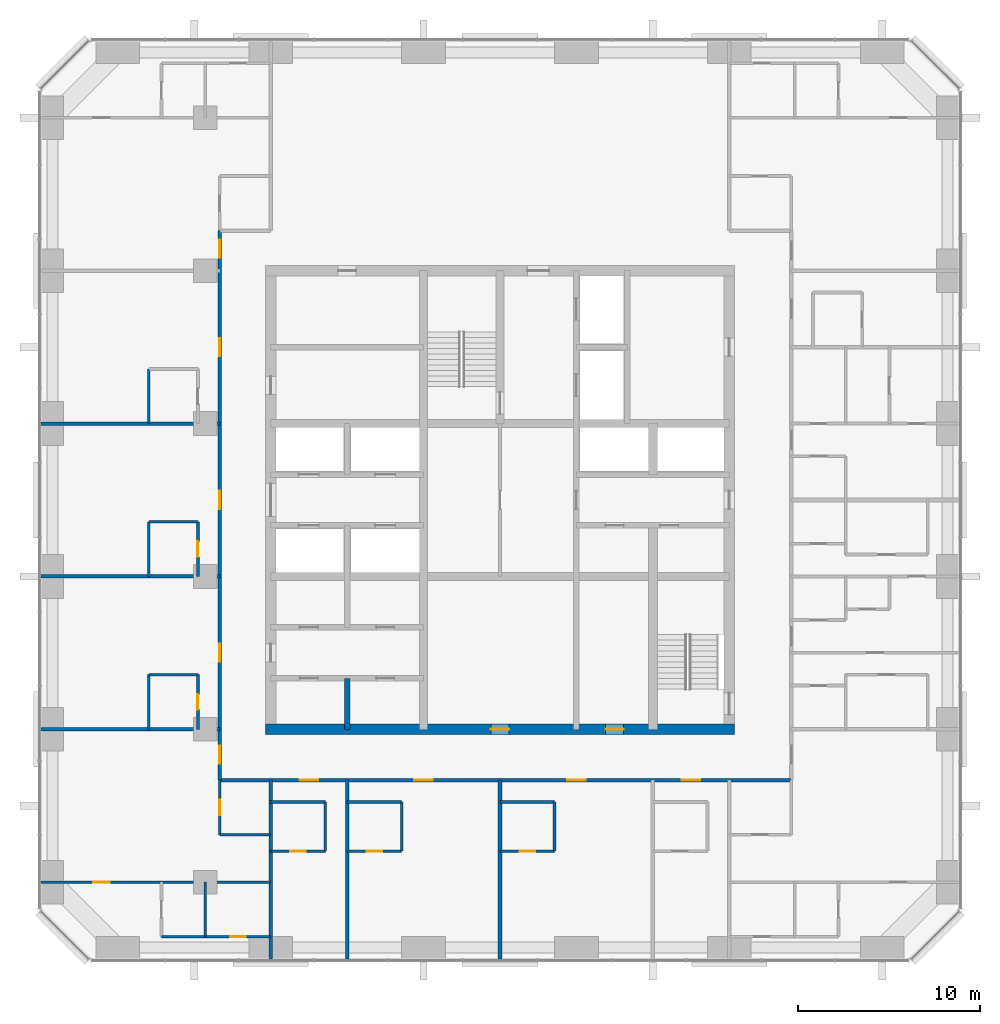
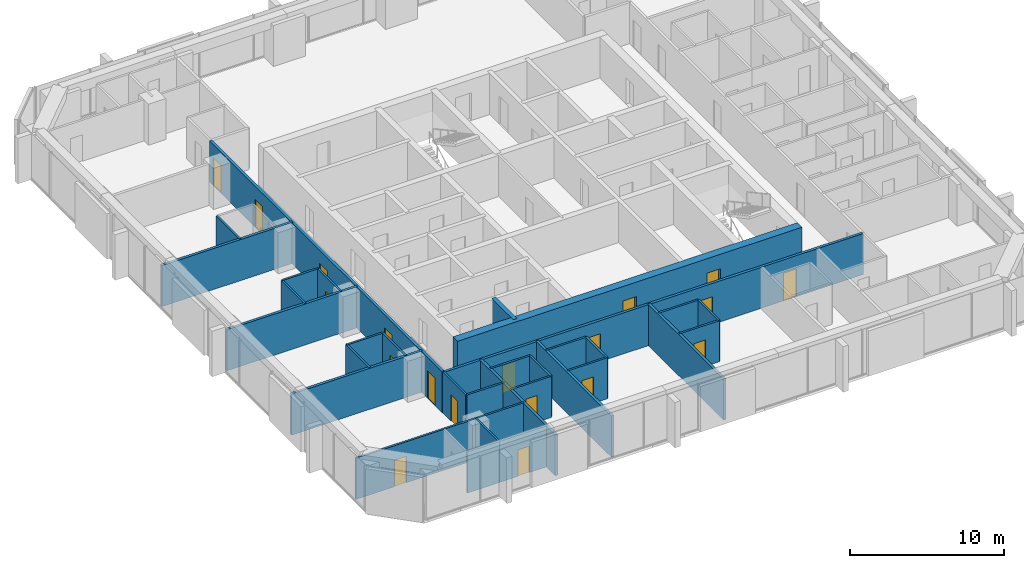
# One storey, part 8 of 13: 32 walls, 19 doors, 19 openings.
"""IFC4 building model written with IfcOpenShell, lengths in metres."""

import ifcopenshell
import ifcopenshell.guid

model = None  # the IFC model being written
_history = None  # IfcOwnerHistory: only IFC2X3 demands one
_inside = {}  # id of a spatial element -> (the spatial element, [elements in it])
_under = {}  # id of a project, library or spatial element -> (it, [spatial elements below it])
_declared = {}  # id of a project -> (the project, [libraries it declares])
_typed = {}  # id of a type object -> (the type object, [elements of that type])
_made_of = {}  # id of a material, layer set ... -> (it, [elements and type objects made of it])


def new_model(schema):
    """Start an empty IFC model of exactly this schema.

    Asked for "IFC4X3", IfcOpenShell would pick the latest addendum, in which some entities
    have other attributes; the version numbers below select the first issue.
    IFC2X3 requires an IfcOwnerHistory on every rooted entity: one is made here for all.
    """
    global model, _history
    if schema == "IFC4X3":
        model = ifcopenshell.file(schema_version=(4, 3, 0, 0))
    else:
        model = ifcopenshell.file(schema=schema)
    _inside.clear()
    _under.clear()
    _declared.clear()
    _typed.clear()
    _made_of.clear()
    _history = None
    if model.schema == "IFC2X3":
        org = make("IfcOrganization", Name="unknown")
        user = make(
            "IfcPersonAndOrganization",
            ThePerson=make("IfcPerson", FamilyName="unknown"),
            TheOrganization=org,
        )
        app = make(
            "IfcApplication",
            ApplicationDeveloper=org,
            Version="unknown",
            ApplicationFullName="unknown",
            ApplicationIdentifier="unknown",
        )
        _history = make(
            "IfcOwnerHistory",
            OwningUser=user,
            OwningApplication=app,
            ChangeAction="ADDED",
            CreationDate=0,
        )
    return model


def make(cls, **values):
    """One entity of the class cls with the attributes given. An attribute that is None is left unset."""
    return model.create_entity(
        cls, **{name: value for name, value in values.items() if value is not None}
    )


def rooted(cls, **values):
    """An entity with a GlobalId (a new one), such as an element, a storey or a relation."""
    return make(cls, GlobalId=ifcopenshell.guid.new(), OwnerHistory=_history, **values)


def si_unit(unit_type, name, prefix=None):
    """IfcSIUnit, for example si_unit("LENGTHUNIT", "METRE", prefix="MILLI")."""
    return make("IfcSIUnit", UnitType=unit_type, Prefix=prefix, Name=name)


def assignment(units):
    """IfcUnitAssignment: the units of a project."""
    return None if units is None else make("IfcUnitAssignment", Units=units)


def point(xyz):
    """IfcCartesianPoint."""
    return None if xyz is None else make("IfcCartesianPoint", Coordinates=xyz)


def direction(xyz):
    """IfcDirection."""
    return None if xyz is None else make("IfcDirection", DirectionRatios=xyz)


def frame(location, z_axis=None, x_axis=None):
    """IfcAxis2Placement3D, a coordinate frame: its origin and axes. An axis left out is left unset."""
    return make(
        "IfcAxis2Placement3D",
        Location=point(location),
        Axis=direction(z_axis),
        RefDirection=direction(x_axis),
    )


def frame_2d(location, x_axis=None):
    """IfcAxis2Placement2D, a coordinate frame in the plane: its origin and x axis."""
    return make(
        "IfcAxis2Placement2D", Location=point(location), RefDirection=direction(x_axis)
    )


def origin():
    """The frame at (0, 0, 0) with its axes left unset."""
    return frame((0.0, 0.0, 0.0))


def place(relative_to, where):
    """IfcLocalPlacement: puts the frame where relative to a parent placement (None: the world)."""
    return make(
        "IfcLocalPlacement", PlacementRelTo=relative_to, RelativePlacement=where
    )


def context(
    kind, dimensions, precision=None, world=None, true_north=None, identifier=None
):
    """IfcGeometricRepresentationContext, for example the 3D "Model" context."""
    return make(
        "IfcGeometricRepresentationContext",
        ContextIdentifier=identifier,
        ContextType=kind,
        CoordinateSpaceDimension=dimensions,
        Precision=precision,
        WorldCoordinateSystem=world,
        TrueNorth=true_north,
    )


def subcontext(parent, identifier, kind, view, scale=None):
    """IfcGeometricRepresentationSubContext, for example "Body" below "Model"."""
    return make(
        "IfcGeometricRepresentationSubContext",
        ContextIdentifier=identifier,
        ContextType=kind,
        ParentContext=parent,
        TargetScale=scale,
        TargetView=view,
    )


def project(units=None, contexts=None):
    """IfcProject with its units and contexts."""
    return rooted(
        "IfcProject",
        Name="project",
        RepresentationContexts=contexts,
        UnitsInContext=assignment(units),
    )


def spatial(cls, under=None, at=None, **own):
    """A site, building, storey or space (cls), placed at a placement, below another one or the project."""
    s = rooted(cls, ObjectPlacement=at, **own)
    if under is not None:
        _under.setdefault(under.id(), (under, []))[1].append(s)
    return s


def profile(cls, at=None, kind="AREA", **sizes):
    """A parametric profile (cls). Its sizes go by their IFC names, for example OverallWidth=200.0."""
    return make(cls, ProfileType=kind, Position=at, **sizes)


def rectangle(**sizes):
    """IfcRectangleProfileDef."""
    return profile("IfcRectangleProfileDef", **sizes)


def extrude(swept, where, along, depth):
    """IfcExtrudedAreaSolid: the profile swept, set in the frame where, extruded along a direction by depth."""
    return make(
        "IfcExtrudedAreaSolid",
        SweptArea=swept,
        Position=where,
        ExtrudedDirection=direction(along),
        Depth=depth,
    )


def shape(context_of_items, identifier, shape_type, items):
    """IfcShapeRepresentation: the items that make up one representation, for example the "Body"."""
    return make(
        "IfcShapeRepresentation",
        ContextOfItems=context_of_items,
        RepresentationIdentifier=identifier,
        RepresentationType=shape_type,
        Items=items,
    )


def material(Name=None, Category=None):
    """IfcMaterial."""
    return make("IfcMaterial", Name=Name, Category=Category)


def layer(
    of_material, thickness, ventilated=None, Name=None, Category=None, Priority=None
):
    """IfcMaterialLayer: one layer of a wall or slab, of a material (None: an air gap)."""
    return make(
        "IfcMaterialLayer",
        Material=of_material,
        LayerThickness=thickness,
        IsVentilated=ventilated,
        Name=Name,
        Category=Category,
        Priority=Priority,
    )


def layer_set(layers, Name=None):
    """IfcMaterialLayerSet."""
    return make("IfcMaterialLayerSet", MaterialLayers=layers, LayerSetName=Name)


def made_of(thing, what):
    """Note that an element or type object is made of a material, layer set ...; save() writes the relation."""
    if what is not None:
        _made_of.setdefault(what.id(), (what, []))[1].append(thing)
    return thing


def type_object(cls, material=None, **own):
    """A type object (cls), such as IfcWallType, which elements share."""
    return made_of(rooted(cls, **own), material)


def element(
    cls,
    number,
    at=None,
    inside=None,
    cuts=None,
    type_object=None,
    material=None,
    context=None,
    identifier="Body",
    shape_type=None,
    held_by="IfcProductDefinitionShape",
    body=None,
    shapes=None,
    **own,
):
    """One element of the class cls, such as IfcWall. Its Tag is "e" and its number.

    at: its placement. inside: the storey or other place that contains it. cuts: it is an
    opening in that element (IfcRelVoidsElement). A single representation is given by context,
    identifier, shape_type and body (its items); several are given by shapes. held_by: the class
    of the entity that holds the representations. save() writes the other relations.
    """
    e = rooted(cls, Tag="e%d" % number, ObjectPlacement=at, **own)
    if body is not None:
        shapes = [shape(context, identifier, shape_type, body)]
    if shapes is not None:
        e.Representation = make(held_by, Representations=shapes)
    if inside is not None:
        _inside.setdefault(inside.id(), (inside, []))[1].append(e)
    if cuts is not None:
        rooted(
            "IfcRelVoidsElement", RelatingBuildingElement=cuts, RelatedOpeningElement=e
        )
    if type_object is not None:
        _typed.setdefault(type_object.id(), (type_object, []))[1].append(e)
    return made_of(e, material)


def fill(opening, filler):
    """IfcRelFillsElement: the door or window that sits in an opening."""
    return rooted(
        "IfcRelFillsElement",
        RelatingOpeningElement=opening,
        RelatedBuildingElement=filler,
    )


def aggregate(whole, parts):
    """IfcRelAggregates: a whole, such as a stair, and the parts it consists of."""
    return rooted("IfcRelAggregates", RelatingObject=whole, RelatedObjects=parts)


def save(model, path):
    """Write the relations noted so far, then the file.

    IfcRelAggregates (storeys below a building ...), IfcRelContainedInSpatialStructure (elements
    in a storey), IfcRelDefinesByType, IfcRelAssociatesMaterial and IfcRelDeclares: one each for
    every whole, place, type object, material and project.
    """
    for whole, parts in _under.values():
        aggregate(whole, parts)
    for where, things in _inside.values():
        rooted(
            "IfcRelContainedInSpatialStructure",
            RelatedElements=things,
            RelatingStructure=where,
        )
    for kind, things in _typed.values():
        rooted("IfcRelDefinesByType", RelatedObjects=things, RelatingType=kind)
    for what, things in _made_of.values():
        rooted("IfcRelAssociatesMaterial", RelatedObjects=things, RelatingMaterial=what)
    for by, libraries in _declared.values():
        rooted("IfcRelDeclares", RelatingContext=by, RelatedDefinitions=libraries)
    model.write(path)


model = new_model("IFC4")

# Units and contexts
model_context = context("Model", 3, precision=1e-05, world=origin(), true_north=direction((0.0, 1.0)))
body_context = subcontext(model_context, "Body", "Model", "MODEL_VIEW")
ifc_project = project(units=[si_unit("LENGTHUNIT", "METRE"), si_unit("AREAUNIT", "SQUARE_METRE"), si_unit("VOLUMEUNIT", "CUBIC_METRE"), si_unit("PLANEANGLEUNIT", "RADIAN"), si_unit("MASSUNIT", "GRAM", prefix="KILO")], contexts=[model_context])

# Site, building, storey
site_placement = place(None, origin())
site = spatial("IfcSite", under=ifc_project, at=site_placement, CompositionType="ELEMENT")
building_placement = place(site_placement, origin())
building = spatial("IfcBuilding", under=site, at=building_placement, Name="Dunama Terrace Hotel", CompositionType="ELEMENT")
storey_placement = place(building_placement, frame((0.0, 0.0, 187.800048828125)))
storey = spatial("IfcBuildingStorey", under=building, at=storey_placement, Name="L48", CompositionType="ELEMENT", Elevation=187.800048828125)

# Walls
ifc_material_1 = material(Name="Gypsum board partition", Category="masonry")
ifc_layer_1 = layer(ifc_material_1, 0.14990234375)
ifc_layer_set_1 = layer_set([ifc_layer_1], Name="Bathroom partition 150")
wall_type_1 = type_object("IfcWallType", Name="Bathroom partition 150", PredefinedType="PARTITIONING", material=ifc_layer_set_1)
for number, where, z_axis, x_axis, name in (
    (1, (10.10009765625, 16.800048828125, 0.0), (0.0, 0.0, 1.0), (0.0, 1.0, 0.0), "Bathroom partition 150 L48"),
    (2, (10.10009765625, 25.199951171875, 0.0), (0.0, 0.0, 1.0), (0.0, 1.0, 0.0), "Bathroom partition 150 L48"),
    (3, (10.10009765625, 33.60009765625, 0.0), (0.0, 0.0, 1.0), (0.0, 1.0, 0.0), "Bathroom partition 150 L48"),
):
    element("IfcWall", number, at=place(storey_placement, frame(where, z_axis=z_axis, x_axis=x_axis)), inside=storey, type_object=wall_type_1, Name=name, PredefinedType="PARTITIONING", context=body_context, shape_type="SweptSolid", body=[
        extrude(rectangle(XDim=3.0, YDim=0.14990234375, at=frame_2d((1.5, 0.0))), origin(), (0.0, 0.0, 1.0), 3.25),
    ])

# Wall, opening, door
wall_1_placement = place(storey_placement, frame((12.800048828125, 16.800048828125, 0.0), z_axis=(0.0, 0.0, 1.0), x_axis=(0.0, 1.0, 0.0)))
wall_1 = element("IfcWall", 4, at=wall_1_placement, inside=storey, type_object=wall_type_1, Name="Bathroom partition 150 L48", PredefinedType="PARTITIONING", context=body_context, shape_type="SweptSolid", body=[
    extrude(rectangle(XDim=3.0, YDim=0.14990234375, at=frame_2d((1.5, 0.0))), origin(), (0.0, 0.0, 1.0), 3.25),
])
opening_1_placement = place(wall_1_placement, frame((1.074951171875, 0.0, 0.0)))
opening_1 = element("IfcOpeningElement", 5, at=opening_1_placement, cuts=wall_1, Name="Opening L48-50-034", PredefinedType="OPENING", context=body_context, shape_type="SweptSolid", body=[
    extrude(rectangle(XDim=0.85009765625, YDim=2.10009765625, at=frame_2d((0.425048828125, 1.050048828125))), frame((0.0, 0.0849609375, 0.0), z_axis=(0.0, -1.0, 0.0), x_axis=(1.0, 0.0, 0.0)), (0.0, 0.0, 1.0), 0.169921875),
])
ifc_material_2 = material(Name="Timber door with steel frame", Category="steel")
door_type_1 = type_object("IfcDoorType", Name="Bathroom door 850", OperationType="SINGLE_SWING_LEFT", PredefinedType="DOOR", material=ifc_material_2)
door_1_placement = place(opening_1_placement, origin())
door_1 = element("IfcDoor", 6, at=door_1_placement, inside=storey, type_object=door_type_1, Name="Door to en-suite bathroom L48-50-034, type D2", OperationType="SINGLE_SWING_LEFT", OverallHeight=2.10009765625, OverallWidth=0.85009765625, PredefinedType="DOOR", context=body_context, shape_type="SweptSolid", body=[
    extrude(rectangle(XDim=0.85009765625, YDim=2.10009765625, at=frame_2d((0.425048828125, 1.050048828125))), frame((0.0, 0.02490234375, 0.0), z_axis=(0.0, -1.0, 0.0), x_axis=(1.0, 0.0, 0.0)), (0.0, 0.0, 1.0), 0.050048828125),
])
fill(opening_1, door_1)

wall_2_placement = place(storey_placement, frame((12.800048828125, 25.199951171875, 0.0), z_axis=(0.0, 0.0, 1.0), x_axis=(0.0, 1.0, 0.0)))
wall_2 = element("IfcWall", 7, at=wall_2_placement, inside=storey, type_object=wall_type_1, Name="Bathroom partition 150 L48", PredefinedType="PARTITIONING", context=body_context, shape_type="SweptSolid", body=[
    extrude(rectangle(XDim=3.0, YDim=0.14990234375, at=frame_2d((1.5, 0.0))), origin(), (0.0, 0.0, 1.0), 3.25),
])
opening_2_placement = place(wall_2_placement, frame((1.074951171875, 0.0, 0.0)))
opening_2 = element("IfcOpeningElement", 8, at=opening_2_placement, cuts=wall_2, Name="Opening L48-50-036", PredefinedType="OPENING", context=body_context, shape_type="SweptSolid", body=[
    extrude(rectangle(XDim=0.85009765625, YDim=2.10009765625, at=frame_2d((0.425048828125, 1.050048828125))), frame((0.0, 0.0849609375, 0.0), z_axis=(0.0, -1.0, 0.0), x_axis=(1.0, 0.0, 0.0)), (0.0, 0.0, 1.0), 0.169921875),
])
door_2_placement = place(opening_2_placement, origin())
door_2 = element("IfcDoor", 9, at=door_2_placement, inside=storey, type_object=door_type_1, Name="Door to en-suite bathroom L48-50-036, type D2", OperationType="SINGLE_SWING_LEFT", OverallHeight=2.10009765625, OverallWidth=0.85009765625, PredefinedType="DOOR", context=body_context, shape_type="SweptSolid", body=[
    extrude(rectangle(XDim=0.85009765625, YDim=2.10009765625, at=frame_2d((0.425048828125, 1.050048828125))), frame((0.0, 0.02490234375, 0.0), z_axis=(0.0, -1.0, 0.0), x_axis=(1.0, 0.0, 0.0)), (0.0, 0.0, 1.0), 0.050048828125),
])
fill(opening_2, door_2)

wall_3_placement = place(storey_placement, frame((14.0, 11.0, 0.0), z_axis=(0.0, 0.0, 1.0), x_axis=(0.0, 1.0, 0.0)))
wall_3 = element("IfcWall", 10, at=wall_3_placement, inside=storey, type_object=wall_type_1, Name="Bathroom partition 150 L48", PredefinedType="PARTITIONING", context=body_context, shape_type="SweptSolid", body=[
    extrude(rectangle(XDim=3.0, YDim=0.14990234375, at=frame_2d((1.5, 0.0))), origin(), (0.0, 0.0, 1.0), 3.25),
])
opening_3_placement = place(wall_3_placement, frame((1.074951171875, 0.0, 0.0)))
opening_3 = element("IfcOpeningElement", 11, at=opening_3_placement, cuts=wall_3, Name="Opening L48-50-040", PredefinedType="OPENING", context=body_context, shape_type="SweptSolid", body=[
    extrude(rectangle(XDim=0.85009765625, YDim=2.10009765625, at=frame_2d((0.425048828125, 1.050048828125))), frame((0.0, 0.0849609375, 0.0), z_axis=(0.0, -1.0, 0.0), x_axis=(1.0, 0.0, 0.0)), (0.0, 0.0, 1.0), 0.169921875),
])
door_3_placement = place(opening_3_placement, frame((0.85009765625, 0.0, 0.0), z_axis=(0.0, 0.0, 1.0), x_axis=(-1.0, 0.0, 0.0)))
door_3 = element("IfcDoor", 12, at=door_3_placement, inside=storey, type_object=door_type_1, Name="Door to powder room L48-50-040, type D2", OperationType="SINGLE_SWING_LEFT", OverallHeight=2.10009765625, OverallWidth=0.85009765625, PredefinedType="DOOR", context=body_context, shape_type="SweptSolid", body=[
    extrude(rectangle(XDim=0.85009765625, YDim=2.10009765625, at=frame_2d((0.425048828125, 1.050048828125))), frame((0.0, 0.025146484375, 0.0), z_axis=(0.0, -1.0, 0.0), x_axis=(1.0, 0.0, 0.0)), (0.0, 0.0, 1.0), 0.050048828125),
])
fill(opening_3, door_3)

# Walls
for number, where, z_axis, x_axis, name in (
    (13, (19.800048828125, 10.10009765625, 0.0), (0.0, 0.0, 1.0), (0.0, 1.0, 0.0), "Bathroom partition 150 L48"),
    (14, (24.0, 10.10009765625, 0.0), (0.0, 0.0, 1.0), (0.0, 1.0, 0.0), "Bathroom partition 150 L48"),
    (15, (32.39990234375, 10.10009765625, 0.0), (0.0, 0.0, 1.0), (0.0, 1.0, 0.0), "Bathroom partition 150 L48"),
):
    element("IfcWall", number, at=place(storey_placement, frame(where, z_axis=z_axis, x_axis=x_axis)), inside=storey, type_object=wall_type_1, Name=name, PredefinedType="PARTITIONING", context=body_context, shape_type="SweptSolid", body=[
        extrude(rectangle(XDim=2.699951171875, YDim=0.14990234375, at=frame_2d((1.35009765625, 0.0))), origin(), (0.0, 0.0, 1.0), 3.25),
    ])

# Wall, opening, door
wall_4_placement = place(storey_placement, frame((13.199951171875, 5.39990234375, 0.0), z_axis=(0.0, 0.0, 1.0), x_axis=(1.0, 0.0, 0.0)))
wall_4 = element("IfcWall", 16, at=wall_4_placement, inside=storey, type_object=wall_type_1, Name="Bathroom partition 150 L48", PredefinedType="PARTITIONING", context=body_context, shape_type="SweptSolid", body=[
    extrude(rectangle(XDim=3.60009765625, YDim=0.14990234375, at=frame_2d((1.800048828125, 0.0))), origin(), (0.0, 0.0, 1.0), 3.25),
])
opening_4_placement = place(wall_4_placement, frame((1.375, 0.0, 0.0)))
opening_4 = element("IfcOpeningElement", 17, at=opening_4_placement, cuts=wall_4, Name="Opening L48-50-042", PredefinedType="OPENING", context=body_context, shape_type="SweptSolid", body=[
    extrude(rectangle(XDim=0.85009765625, YDim=2.10009765625, at=frame_2d((0.425048828125, 1.050048828125))), frame((0.0, 0.0849609375, 0.0), z_axis=(0.0, -1.0, 0.0), x_axis=(1.0, 0.0, 0.0)), (0.0, 0.0, 1.0), 0.169921875),
])
door_4_placement = place(opening_4_placement, origin())
door_4 = element("IfcDoor", 18, at=door_4_placement, inside=storey, type_object=door_type_1, Name="Door to en-suite bathroom L48-50-042, type D2", OperationType="SINGLE_SWING_RIGHT", OverallHeight=2.10009765625, OverallWidth=0.85009765625, PredefinedType="DOOR", context=body_context, shape_type="SweptSolid", body=[
    extrude(rectangle(XDim=0.85009765625, YDim=2.10009765625, at=frame_2d((0.425048828125, 1.050048828125))), frame((0.0, 0.02490234375, 0.0), z_axis=(0.0, -1.0, 0.0), x_axis=(1.0, 0.0, 0.0)), (0.0, 0.0, 1.0), 0.050048828125),
])
fill(opening_4, door_4)

wall_5_placement = place(storey_placement, frame((16.800048828125, 10.10009765625, 0.0), z_axis=(0.0, 0.0, 1.0), x_axis=(1.0, 0.0, 0.0)))
wall_5 = element("IfcWall", 19, at=wall_5_placement, inside=storey, type_object=wall_type_1, Name="Bathroom partition 150 L48", PredefinedType="PARTITIONING", context=body_context, shape_type="SweptSolid", body=[
    extrude(rectangle(XDim=3.0, YDim=0.14990234375, at=frame_2d((1.5, 0.0))), origin(), (0.0, 0.0, 1.0), 3.25),
])
opening_5_placement = place(wall_5_placement, frame((1.074951171875, 0.0, 0.0)))
opening_5 = element("IfcOpeningElement", 20, at=opening_5_placement, cuts=wall_5, Name="Opening L48-50-010", PredefinedType="OPENING", context=body_context, shape_type="SweptSolid", body=[
    extrude(rectangle(XDim=0.85009765625, YDim=2.10009765625, at=frame_2d((0.425048828125, 1.050048828125))), frame((0.0, 0.0849609375, 0.0), z_axis=(0.0, -1.0, 0.0), x_axis=(1.0, 0.0, 0.0)), (0.0, 0.0, 1.0), 0.169921875),
])
door_5_placement = place(opening_5_placement, origin())
door_5 = element("IfcDoor", 21, at=door_5_placement, inside=storey, type_object=door_type_1, Name="Door to en-suite bathroom L48-50-010, type D2", OperationType="SINGLE_SWING_LEFT", OverallHeight=2.10009765625, OverallWidth=0.85009765625, PredefinedType="DOOR", context=body_context, shape_type="SweptSolid", body=[
    extrude(rectangle(XDim=0.85009765625, YDim=2.10009765625, at=frame_2d((0.425048828125, 1.050048828125))), frame((0.0, 0.02490234375, 0.0), z_axis=(0.0, -1.0, 0.0), x_axis=(1.0, 0.0, 0.0)), (0.0, 0.0, 1.0), 0.050048828125),
])
fill(opening_5, door_5)

wall_6_placement = place(storey_placement, frame((21.0, 10.10009765625, 0.0), z_axis=(0.0, 0.0, 1.0), x_axis=(1.0, 0.0, 0.0)))
wall_6 = element("IfcWall", 22, at=wall_6_placement, inside=storey, type_object=wall_type_1, Name="Bathroom partition 150 L48", PredefinedType="PARTITIONING", context=body_context, shape_type="SweptSolid", body=[
    extrude(rectangle(XDim=3.0, YDim=0.14990234375, at=frame_2d((1.5, 0.0))), origin(), (0.0, 0.0, 1.0), 3.25),
])
opening_6_placement = place(wall_6_placement, frame((1.074951171875, 0.0, 0.0)))
opening_6 = element("IfcOpeningElement", 23, at=opening_6_placement, cuts=wall_6, Name="Opening L48-50-012", PredefinedType="OPENING", context=body_context, shape_type="SweptSolid", body=[
    extrude(rectangle(XDim=0.85009765625, YDim=2.10009765625, at=frame_2d((0.425048828125, 1.050048828125))), frame((0.0, 0.0849609375, 0.0), z_axis=(0.0, -1.0, 0.0), x_axis=(1.0, 0.0, 0.0)), (0.0, 0.0, 1.0), 0.169921875),
])
door_6_placement = place(opening_6_placement, origin())
door_6 = element("IfcDoor", 24, at=door_6_placement, inside=storey, type_object=door_type_1, Name="Door to en-suite bathroom L48-50-012, type D2", OperationType="SINGLE_SWING_LEFT", OverallHeight=2.10009765625, OverallWidth=0.85009765625, PredefinedType="DOOR", context=body_context, shape_type="SweptSolid", body=[
    extrude(rectangle(XDim=0.85009765625, YDim=2.10009765625, at=frame_2d((0.425048828125, 1.050048828125))), frame((0.0, 0.02490234375, 0.0), z_axis=(0.0, -1.0, 0.0), x_axis=(1.0, 0.0, 0.0)), (0.0, 0.0, 1.0), 0.050048828125),
])
fill(opening_6, door_6)

wall_7_placement = place(storey_placement, frame((29.39990234375, 10.10009765625, 0.0), z_axis=(0.0, 0.0, 1.0), x_axis=(1.0, 0.0, 0.0)))
wall_7 = element("IfcWall", 25, at=wall_7_placement, inside=storey, type_object=wall_type_1, Name="Bathroom partition 150 L48", PredefinedType="PARTITIONING", context=body_context, shape_type="SweptSolid", body=[
    extrude(rectangle(XDim=3.0, YDim=0.14990234375, at=frame_2d((1.5, 0.0))), origin(), (0.0, 0.0, 1.0), 3.25),
])
opening_7_placement = place(wall_7_placement, frame((1.074951171875, 0.0, 0.0)))
opening_7 = element("IfcOpeningElement", 26, at=opening_7_placement, cuts=wall_7, Name="Opening L48-50-014", PredefinedType="OPENING", context=body_context, shape_type="SweptSolid", body=[
    extrude(rectangle(XDim=0.85009765625, YDim=2.10009765625, at=frame_2d((0.425048828125, 1.050048828125))), frame((0.0, 0.0849609375, 0.0), z_axis=(0.0, -1.0, 0.0), x_axis=(1.0, 0.0, 0.0)), (0.0, 0.0, 1.0), 0.169921875),
])
door_7_placement = place(opening_7_placement, origin())
door_7 = element("IfcDoor", 27, at=door_7_placement, inside=storey, type_object=door_type_1, Name="Door to en-suite bathroom L48-50-014, type D2", OperationType="SINGLE_SWING_LEFT", OverallHeight=2.10009765625, OverallWidth=0.85009765625, PredefinedType="DOOR", context=body_context, shape_type="SweptSolid", body=[
    extrude(rectangle(XDim=0.85009765625, YDim=2.10009765625, at=frame_2d((0.425048828125, 1.050048828125))), frame((0.0, 0.02490234375, 0.0), z_axis=(0.0, -1.0, 0.0), x_axis=(1.0, 0.0, 0.0)), (0.0, 0.0, 1.0), 0.050048828125),
])
fill(opening_7, door_7)

# Walls
wall_8_placement = place(storey_placement, frame((14.0, 11.0, 0.0), z_axis=(0.0, 0.0, 1.0), x_axis=(1.0, 0.0, 0.0)))
element("IfcWall", 28, at=wall_8_placement, inside=storey, type_object=wall_type_1, Name="Bathroom partition 150 L48", PredefinedType="PARTITIONING", context=body_context, shape_type="SweptSolid", body=[
    extrude(rectangle(XDim=2.800048828125, YDim=0.14990234375, at=frame_2d((1.39990234375, 0.0))), origin(), (0.0, 0.0, 1.0), 3.25),
])
for number, where, z_axis, x_axis, name in (
    (29, (16.800048828125, 12.800048828125, 0.0), (0.0, 0.0, 1.0), (1.0, 0.0, 0.0), "Bathroom partition 150 L48"),
    (30, (21.0, 12.800048828125, 0.0), (0.0, 0.0, 1.0), (1.0, 0.0, 0.0), "Bathroom partition 150 L48"),
    (31, (29.39990234375, 12.800048828125, 0.0), (0.0, 0.0, 1.0), (1.0, 0.0, 0.0), "Bathroom partition 150 L48"),
):
    element("IfcWall", number, at=place(storey_placement, frame(where, z_axis=z_axis, x_axis=x_axis)), inside=storey, type_object=wall_type_1, Name=name, PredefinedType="PARTITIONING", context=body_context, shape_type="SweptSolid", body=[
        extrude(rectangle(XDim=3.0, YDim=0.14990234375, at=frame_2d((1.5, 0.0))), origin(), (0.0, 0.0, 1.0), 3.25),
    ])
for number, where, z_axis, x_axis, name in (
    (32, (10.10009765625, 19.800048828125, 0.0), (0.0, 0.0, 1.0), (1.0, 0.0, 0.0), "Bathroom partition 150 L48"),
    (33, (10.10009765625, 28.199951171875, 0.0), (0.0, 0.0, 1.0), (1.0, 0.0, 0.0), "Bathroom partition 150 L48"),
):
    element("IfcWall", number, at=place(storey_placement, frame(where, z_axis=z_axis, x_axis=x_axis)), inside=storey, type_object=wall_type_1, Name=name, PredefinedType="PARTITIONING", context=body_context, shape_type="SweptSolid", body=[
        extrude(rectangle(XDim=2.699951171875, YDim=0.14990234375, at=frame_2d((1.35009765625, 0.0))), origin(), (0.0, 0.0, 1.0), 3.25),
    ])
ifc_material_3 = material(Name="Concrete C50/60", Category="concrete")
ifc_layer_2 = layer(ifc_material_3, 0.300048828125)
ifc_layer_set_2 = layer_set([ifc_layer_2], Name="Core inner wall 300")
wall_type_2 = type_object("IfcWallType", Name="Core inner wall 300", PredefinedType="SHEAR", material=ifc_layer_set_2)
wall_9_placement = place(storey_placement, frame((21.0, 16.800048828125, -0.35009765625), z_axis=(0.0, 0.0, 1.0), x_axis=(0.0, 1.0, 0.0)))
element("IfcWall", 34, at=wall_9_placement, inside=storey, type_object=wall_type_2, Name="Core inner wall 300 L48", PredefinedType="SHEAR", context=body_context, shape_type="SweptSolid", body=[
    extrude(rectangle(XDim=2.800048828125, YDim=0.300048828125, at=frame_2d((1.39990234375, 0.0))), origin(), (0.0, 0.0, 1.0), 3.60009765625),
])

# Wall, openings, doors
ifc_material_4 = material(Name="Concrete C50/60", Category="concrete")
ifc_layer_3 = layer(ifc_material_4, 0.60009765625)
ifc_layer_set_3 = layer_set([ifc_layer_3], Name="Core wall 600")
wall_type_3 = type_object("IfcWallType", Name="Core wall 600", PredefinedType="SHEAR", material=ifc_layer_set_3)
wall_10_placement = place(storey_placement, frame((16.5, 16.800048828125, -0.35009765625), z_axis=(0.0, 0.0, 1.0), x_axis=(1.0, 0.0, 0.0)))
wall_10 = element("IfcWall", 35, at=wall_10_placement, inside=storey, type_object=wall_type_3, Name="Core wall south L48", PredefinedType="SHEAR", context=body_context, shape_type="SweptSolid", body=[
    extrude(rectangle(XDim=25.800048828125, YDim=0.60009765625, at=frame_2d((12.89990234375, 0.0))), origin(), (0.0, 0.0, 1.0), 3.60009765625),
])
opening_8_placement = place(wall_10_placement, frame((12.39990234375, 0.0, 0.35009765625)))
opening_8 = element("IfcOpeningElement", 36, at=opening_8_placement, cuts=wall_10, Name="Opening L48-50-074", PredefinedType="OPENING", context=body_context, shape_type="SweptSolid", body=[
    extrude(rectangle(XDim=1.0, YDim=2.10009765625, at=frame_2d((0.5, 1.050048828125))), frame((0.0, 0.31005859375, 0.0), z_axis=(0.0, -1.0, 0.0), x_axis=(1.0, 0.0, 0.0)), (0.0, 0.0, 1.0), 0.6201171875),
])
opening_9_placement = place(wall_10_placement, frame((18.699951171875, 0.0, 0.35009765625)))
opening_9 = element("IfcOpeningElement", 37, at=opening_9_placement, cuts=wall_10, Name="Opening L48-50-075", PredefinedType="OPENING", context=body_context, shape_type="SweptSolid", body=[
    extrude(rectangle(XDim=1.0, YDim=2.10009765625, at=frame_2d((0.5, 1.050048828125))), frame((0.0, 0.31005859375, 0.0), z_axis=(0.0, -1.0, 0.0), x_axis=(1.0, 0.0, 0.0)), (0.0, 0.0, 1.0), 0.6201171875),
])
ifc_material_5 = material(Name="Timber door with steel frame", Category="steel")
door_type_2 = type_object("IfcDoorType", Name="Service door 1000", OperationType="SINGLE_SWING_LEFT", PredefinedType="DOOR", material=ifc_material_5)
door_8_placement = place(opening_8_placement, origin())
door_8 = element("IfcDoor", 38, at=door_8_placement, inside=storey, type_object=door_type_2, Name="Door to corridor air handling room L48-50-074, type D7", OperationType="SINGLE_SWING_LEFT", OverallHeight=2.10009765625, OverallWidth=1.0, PredefinedType="DOOR", context=body_context, shape_type="SweptSolid", body=[
    extrude(rectangle(XDim=1.0, YDim=2.10009765625, at=frame_2d((0.5, 1.050048828125))), frame((0.0, 0.02490234375, 0.0), z_axis=(0.0, -1.0, 0.0), x_axis=(1.0, 0.0, 0.0)), (0.0, 0.0, 1.0), 0.050048828125),
])
fill(opening_8, door_8)
door_9_placement = place(opening_9_placement, origin())
door_9 = element("IfcDoor", 39, at=door_9_placement, inside=storey, type_object=door_type_2, Name="Door to water riser room L48-50-075, type D7", OperationType="SINGLE_SWING_RIGHT", OverallHeight=2.10009765625, OverallWidth=1.0, PredefinedType="DOOR", context=body_context, shape_type="SweptSolid", body=[
    extrude(rectangle(XDim=1.0, YDim=2.10009765625, at=frame_2d((0.5, 1.050048828125))), frame((0.0, 0.02490234375, 0.0), z_axis=(0.0, -1.0, 0.0), x_axis=(1.0, 0.0, 0.0)), (0.0, 0.0, 1.0), 0.050048828125),
])
fill(opening_9, door_9)

ifc_material_6 = material(Name="Concrete blockwork", Category="masonry")
ifc_layer_4 = layer(ifc_material_6, 0.199951171875)
ifc_layer_set_4 = layer_set([ifc_layer_4], Name="Corridor partition 200")
wall_type_4 = type_object("IfcWallType", Name="Corridor partition 200", PredefinedType="PARTITIONING", material=ifc_layer_set_4)
wall_11_placement = place(storey_placement, frame((14.0, 14.0, 0.0), z_axis=(0.0, 0.0, 1.0), x_axis=(0.0, 1.0, 0.0)))
wall_11 = element("IfcWall", 40, at=wall_11_placement, inside=storey, type_object=wall_type_4, Name="Corridor partition 200 L48", PredefinedType="PARTITIONING", context=body_context, shape_type="SweptSolid", body=[
    extrude(rectangle(XDim=30.199951171875, YDim=0.199951171875, at=frame_2d((15.10009765625, 0.0))), origin(), (0.0, 0.0, 1.0), 3.25),
])
opening_10_placement = place(wall_11_placement, frame((6.5, 0.0, 0.0)))
opening_10 = element("IfcOpeningElement", 41, at=opening_10_placement, cuts=wall_11, Name="Opening L48-50-033", PredefinedType="OPENING", context=body_context, shape_type="SweptSolid", body=[
    extrude(rectangle(XDim=1.0, YDim=2.199951171875, at=frame_2d((0.5, 1.10009765625))), frame((0.0, 0.10986328125, 0.0), z_axis=(0.0, -1.0, 0.0), x_axis=(1.0, 0.0, 0.0)), (0.0, 0.0, 1.0), 0.219970703125),
])
opening_11_placement = place(wall_11_placement, frame((14.89990234375, 0.0, 0.0)))
opening_11 = element("IfcOpeningElement", 42, at=opening_11_placement, cuts=wall_11, Name="Opening L48-50-035", PredefinedType="OPENING", context=body_context, shape_type="SweptSolid", body=[
    extrude(rectangle(XDim=1.0, YDim=2.199951171875, at=frame_2d((0.5, 1.10009765625))), frame((0.0, 0.10986328125, 0.0), z_axis=(0.0, -1.0, 0.0), x_axis=(1.0, 0.0, 0.0)), (0.0, 0.0, 1.0), 0.219970703125),
])
opening_12_placement = place(wall_11_placement, frame((23.300048828125, 0.0, 0.0)))
opening_12 = element("IfcOpeningElement", 43, at=opening_12_placement, cuts=wall_11, Name="Opening L48-50-037", PredefinedType="OPENING", context=body_context, shape_type="SweptSolid", body=[
    extrude(rectangle(XDim=1.0, YDim=2.199951171875, at=frame_2d((0.5, 1.10009765625))), frame((0.0, 0.10986328125, 0.0), z_axis=(0.0, -1.0, 0.0), x_axis=(1.0, 0.0, 0.0)), (0.0, 0.0, 1.0), 0.219970703125),
])
opening_13_placement = place(wall_11_placement, frame((0.89990234375, 0.0, 0.0)))
opening_13 = element("IfcOpeningElement", 44, at=opening_13_placement, cuts=wall_11, Name="Opening L48-50-039", PredefinedType="OPENING", context=body_context, shape_type="SweptSolid", body=[
    extrude(rectangle(XDim=1.0, YDim=2.199951171875, at=frame_2d((0.5, 1.10009765625))), frame((0.0, 0.10986328125, 0.0), z_axis=(0.0, -1.0, 0.0), x_axis=(1.0, 0.0, 0.0)), (0.0, 0.0, 1.0), 0.219970703125),
])
opening_14_placement = place(wall_11_placement, frame((28.699951171875, 0.0, 0.0)))
opening_14 = element("IfcOpeningElement", 45, at=opening_14_placement, cuts=wall_11, Name="Opening L48-50-054", PredefinedType="OPENING", context=body_context, shape_type="SweptSolid", body=[
    extrude(rectangle(XDim=1.0, YDim=2.199951171875, at=frame_2d((0.5, 1.10009765625))), frame((0.0, 0.10986328125, 0.0), z_axis=(0.0, -1.0, 0.0), x_axis=(1.0, 0.0, 0.0)), (0.0, 0.0, 1.0), 0.219970703125),
])
ifc_material_7 = material(Name="Timber door with steel frame", Category="steel")
door_type_3 = type_object("IfcDoorType", Name="Guest room door 1000", OperationType="SINGLE_SWING_LEFT", PredefinedType="DOOR", material=ifc_material_7)
door_10_placement = place(opening_10_placement, origin())
door_10 = element("IfcDoor", 46, at=door_10_placement, inside=storey, type_object=door_type_3, Name="Door to junior suite L48-50-033, type D1", OperationType="SINGLE_SWING_LEFT", OverallHeight=2.199951171875, OverallWidth=1.0, PredefinedType="DOOR", context=body_context, shape_type="SweptSolid", body=[
    extrude(rectangle(XDim=1.0, YDim=2.199951171875, at=frame_2d((0.5, 1.10009765625))), frame((0.0, 0.02490234375, 0.0), z_axis=(0.0, -1.0, 0.0), x_axis=(1.0, 0.0, 0.0)), (0.0, 0.0, 1.0), 0.050048828125),
])
fill(opening_10, door_10)
door_11_placement = place(opening_11_placement, origin())
door_11 = element("IfcDoor", 47, at=door_11_placement, inside=storey, type_object=door_type_3, Name="Door to junior suite L48-50-035, type D1", OperationType="SINGLE_SWING_LEFT", OverallHeight=2.199951171875, OverallWidth=1.0, PredefinedType="DOOR", context=body_context, shape_type="SweptSolid", body=[
    extrude(rectangle(XDim=1.0, YDim=2.199951171875, at=frame_2d((0.5, 1.10009765625))), frame((0.0, 0.02490234375, 0.0), z_axis=(0.0, -1.0, 0.0), x_axis=(1.0, 0.0, 0.0)), (0.0, 0.0, 1.0), 0.050048828125),
])
fill(opening_11, door_11)
door_12_placement = place(opening_12_placement, origin())
door_12 = element("IfcDoor", 48, at=door_12_placement, inside=storey, type_object=door_type_3, Name="Door to junior suite L48-50-037, type D1", OperationType="SINGLE_SWING_LEFT", OverallHeight=2.199951171875, OverallWidth=1.0, PredefinedType="DOOR", context=body_context, shape_type="SweptSolid", body=[
    extrude(rectangle(XDim=1.0, YDim=2.199951171875, at=frame_2d((0.5, 1.10009765625))), frame((0.0, 0.02490234375, 0.0), z_axis=(0.0, -1.0, 0.0), x_axis=(1.0, 0.0, 0.0)), (0.0, 0.0, 1.0), 0.050048828125),
])
fill(opening_12, door_12)
door_13_placement = place(opening_13_placement, origin())
door_13 = element("IfcDoor", 49, at=door_13_placement, inside=storey, type_object=door_type_3, Name="Door to corner suite living room L48-50-039, type D1", OperationType="SINGLE_SWING_RIGHT", OverallHeight=2.199951171875, OverallWidth=1.0, PredefinedType="DOOR", context=body_context, shape_type="SweptSolid", body=[
    extrude(rectangle(XDim=1.0, YDim=2.199951171875, at=frame_2d((0.5, 1.10009765625))), frame((0.0, 0.02490234375, 0.0), z_axis=(0.0, -1.0, 0.0), x_axis=(1.0, 0.0, 0.0)), (0.0, 0.0, 1.0), 0.050048828125),
])
fill(opening_13, door_13)
door_14_placement = place(opening_14_placement, origin())
door_14 = element("IfcDoor", 50, at=door_14_placement, inside=storey, type_object=door_type_3, Name="Door to corner suite living room L48-50-054, type D1", OperationType="SINGLE_SWING_LEFT", OverallHeight=2.199951171875, OverallWidth=1.0, PredefinedType="DOOR", context=body_context, shape_type="SweptSolid", body=[
    extrude(rectangle(XDim=1.0, YDim=2.199951171875, at=frame_2d((0.5, 1.10009765625))), frame((0.0, 0.02490234375, 0.0), z_axis=(0.0, -1.0, 0.0), x_axis=(1.0, 0.0, 0.0)), (0.0, 0.0, 1.0), 0.050048828125),
])
fill(opening_14, door_14)

wall_12_placement = place(storey_placement, frame((45.39990234375, 14.0, 0.0), z_axis=(0.0, 0.0, 1.0), x_axis=(-1.0, 0.0, 0.0)))
wall_12 = element("IfcWall", 51, at=wall_12_placement, inside=storey, type_object=wall_type_4, Name="Corridor partition 200 L48", PredefinedType="PARTITIONING", context=body_context, shape_type="SweptSolid", body=[
    extrude(rectangle(XDim=31.39990234375, YDim=0.199951171875, at=frame_2d((15.699951171875, 0.0))), origin(), (0.0, 0.0, 1.0), 3.25),
])
opening_15_placement = place(wall_12_placement, frame((26.0, 0.0, 0.0)))
opening_15 = element("IfcOpeningElement", 52, at=opening_15_placement, cuts=wall_12, Name="Opening L48-50-009", PredefinedType="OPENING", context=body_context, shape_type="SweptSolid", body=[
    extrude(rectangle(XDim=1.0, YDim=2.199951171875, at=frame_2d((0.5, 1.10009765625))), frame((0.0, 0.10986328125, 0.0), z_axis=(0.0, -1.0, 0.0), x_axis=(1.0, 0.0, 0.0)), (0.0, 0.0, 1.0), 0.219970703125),
])
opening_16_placement = place(wall_12_placement, frame((19.699951171875, 0.0, 0.0)))
opening_16 = element("IfcOpeningElement", 53, at=opening_16_placement, cuts=wall_12, Name="Opening L48-50-011", PredefinedType="OPENING", context=body_context, shape_type="SweptSolid", body=[
    extrude(rectangle(XDim=1.0, YDim=2.199951171875, at=frame_2d((0.5, 1.10009765625))), frame((0.0, 0.10986328125, 0.0), z_axis=(0.0, -1.0, 0.0), x_axis=(1.0, 0.0, 0.0)), (0.0, 0.0, 1.0), 0.219970703125),
])
opening_17_placement = place(wall_12_placement, frame((11.300048828125, 0.0, 0.0)))
opening_17 = element("IfcOpeningElement", 54, at=opening_17_placement, cuts=wall_12, Name="Opening L48-50-013", PredefinedType="OPENING", context=body_context, shape_type="SweptSolid", body=[
    extrude(rectangle(XDim=1.0, YDim=2.199951171875, at=frame_2d((0.5, 1.10009765625))), frame((0.0, 0.10986328125, 0.0), z_axis=(0.0, -1.0, 0.0), x_axis=(1.0, 0.0, 0.0)), (0.0, 0.0, 1.0), 0.219970703125),
])
opening_18_placement = place(wall_12_placement, frame((5.0, 0.0, 0.0)))
opening_18 = element("IfcOpeningElement", 55, at=opening_18_placement, cuts=wall_12, Name="Opening L48-50-015", PredefinedType="OPENING", context=body_context, shape_type="SweptSolid", body=[
    extrude(rectangle(XDim=1.0, YDim=2.199951171875, at=frame_2d((0.5, 1.10009765625))), frame((0.0, 0.10986328125, 0.0), z_axis=(0.0, -1.0, 0.0), x_axis=(1.0, 0.0, 0.0)), (0.0, 0.0, 1.0), 0.219970703125),
])
door_15_placement = place(opening_15_placement, origin())
door_15 = element("IfcDoor", 56, at=door_15_placement, inside=storey, type_object=door_type_3, Name="Door to club room L48-50-009, type D1", OperationType="SINGLE_SWING_LEFT", OverallHeight=2.199951171875, OverallWidth=1.0, PredefinedType="DOOR", context=body_context, shape_type="SweptSolid", body=[
    extrude(rectangle(XDim=1.0, YDim=2.199951171875, at=frame_2d((0.5, 1.10009765625))), frame((0.0, 0.02490234375, 0.0), z_axis=(0.0, -1.0, 0.0), x_axis=(1.0, 0.0, 0.0)), (0.0, 0.0, 1.0), 0.050048828125),
])
fill(opening_15, door_15)
door_16_placement = place(opening_16_placement, origin())
door_16 = element("IfcDoor", 57, at=door_16_placement, inside=storey, type_object=door_type_3, Name="Door to junior suite L48-50-011, type D1", OperationType="SINGLE_SWING_RIGHT", OverallHeight=2.199951171875, OverallWidth=1.0, PredefinedType="DOOR", context=body_context, shape_type="SweptSolid", body=[
    extrude(rectangle(XDim=1.0, YDim=2.199951171875, at=frame_2d((0.5, 1.10009765625))), frame((0.0, 0.02490234375, 0.0), z_axis=(0.0, -1.0, 0.0), x_axis=(1.0, 0.0, 0.0)), (0.0, 0.0, 1.0), 0.050048828125),
])
fill(opening_16, door_16)
door_17_placement = place(opening_17_placement, origin())
door_17 = element("IfcDoor", 58, at=door_17_placement, inside=storey, type_object=door_type_3, Name="Door to junior suite L48-50-013, type D1", OperationType="SINGLE_SWING_RIGHT", OverallHeight=2.199951171875, OverallWidth=1.0, PredefinedType="DOOR", context=body_context, shape_type="SweptSolid", body=[
    extrude(rectangle(XDim=1.0, YDim=2.199951171875, at=frame_2d((0.5, 1.10009765625))), frame((0.0, 0.02490234375, 0.0), z_axis=(0.0, -1.0, 0.0), x_axis=(1.0, 0.0, 0.0)), (0.0, 0.0, 1.0), 0.050048828125),
])
fill(opening_17, door_17)
door_18_placement = place(opening_18_placement, origin())
door_18 = element("IfcDoor", 59, at=door_18_placement, inside=storey, type_object=door_type_3, Name="Door to club room L48-50-015, type D1", OperationType="SINGLE_SWING_LEFT", OverallHeight=2.199951171875, OverallWidth=1.0, PredefinedType="DOOR", context=body_context, shape_type="SweptSolid", body=[
    extrude(rectangle(XDim=1.0, YDim=2.199951171875, at=frame_2d((0.5, 1.10009765625))), frame((0.0, 0.02490234375, 0.0), z_axis=(0.0, -1.0, 0.0), x_axis=(1.0, 0.0, 0.0)), (0.0, 0.0, 1.0), 0.050048828125),
])
fill(opening_18, door_18)

# Walls
ifc_material_8 = material(Name="Concrete blockwork", Category="masonry")
ifc_layer_5 = layer(ifc_material_8, 0.199951171875)
ifc_layer_set_5 = layer_set([ifc_layer_5], Name="Party wall 200")
wall_type_5 = type_object("IfcWallType", Name="Party wall 200", PredefinedType="PARTITIONING", material=ifc_layer_set_5)
for number, where, z_axis, x_axis, name in (
    (60, (16.800048828125, 4.181884765625, 0.0), (0.0, 0.0, 1.0), (0.0, 1.0, 0.0), "Party wall 200 L48"),
    (61, (21.0, 4.181884765625, 0.0), (0.0, 0.0, 1.0), (0.0, 1.0, 0.0), "Party wall 200 L48"),
    (62, (29.39990234375, 4.181884765625, 0.0), (0.0, 0.0, 1.0), (0.0, 1.0, 0.0), "Party wall 200 L48"),
    (63, (4.181884765625, 16.800048828125, 0.0), (0.0, 0.0, 1.0), (1.0, 0.0, 0.0), "Party wall 200 L48"),
    (64, (4.181884765625, 25.199951171875, 0.0), (0.0, 0.0, 1.0), (1.0, 0.0, 0.0), "Party wall 200 L48"),
    (65, (4.181884765625, 33.60009765625, 0.0), (0.0, 0.0, 1.0), (1.0, 0.0, 0.0), "Party wall 200 L48"),
):
    element("IfcWall", number, at=place(storey_placement, frame(where, z_axis=z_axis, x_axis=x_axis)), inside=storey, type_object=wall_type_5, Name=name, PredefinedType="PARTITIONING", context=body_context, shape_type="SweptSolid", body=[
        extrude(rectangle(XDim=9.818115234375, YDim=0.199951171875, at=frame_2d((4.9091796875, 0.0))), origin(), (0.0, 0.0, 1.0), 3.25),
    ])
ifc_material_9 = material(Name="Gypsum board partition", Category="masonry")
ifc_layer_6 = layer(ifc_material_9, 0.14990234375)
ifc_layer_set_6 = layer_set([ifc_layer_6], Name="Room partition 150")
wall_type_6 = type_object("IfcWallType", Name="Room partition 150", PredefinedType="PARTITIONING", material=ifc_layer_set_6)
wall_13_placement = place(storey_placement, frame((13.199951171875, 5.39990234375, 0.0), z_axis=(0.0, 0.0, 1.0), x_axis=(0.0, 1.0, 0.0)))
element("IfcWall", 66, at=wall_13_placement, inside=storey, type_object=wall_type_6, Name="Room partition 150 L48", PredefinedType="PARTITIONING", context=body_context, shape_type="SweptSolid", body=[
    extrude(rectangle(XDim=3.0, YDim=0.14990234375, at=frame_2d((1.5, 0.0))), origin(), (0.0, 0.0, 1.0), 3.25),
])
wall_14_placement = place(storey_placement, frame((10.800048828125, 5.39990234375, 0.0), z_axis=(0.0, 0.0, 1.0), x_axis=(1.0, 0.0, 0.0)))
element("IfcWall", 67, at=wall_14_placement, inside=storey, type_object=wall_type_6, Name="Room partition 150 L48", PredefinedType="PARTITIONING", context=body_context, shape_type="SweptSolid", body=[
    extrude(rectangle(XDim=2.39990234375, YDim=0.14990234375, at=frame_2d((1.199951171875, 0.0))), origin(), (0.0, 0.0, 1.0), 3.25),
])

# Wall, opening, door
wall_15_placement = place(storey_placement, frame((4.181884765625, 8.39990234375, 0.0), z_axis=(0.0, 0.0, 1.0), x_axis=(1.0, 0.0, 0.0)))
wall_15 = element("IfcWall", 68, at=wall_15_placement, inside=storey, type_object=wall_type_6, Name="Room partition 150 L48", PredefinedType="PARTITIONING", context=body_context, shape_type="SweptSolid", body=[
    extrude(rectangle(XDim=12.6181640625, YDim=0.14990234375, at=frame_2d((6.30908203125, 0.0))), origin(), (0.0, 0.0, 1.0), 3.25),
])
opening_19_placement = place(wall_15_placement, frame((2.867919921875, 0.0, 0.0)))
opening_19 = element("IfcOpeningElement", 69, at=opening_19_placement, cuts=wall_15, Name="Opening L48-50-041", PredefinedType="OPENING", context=body_context, shape_type="SweptSolid", body=[
    extrude(rectangle(XDim=0.89990234375, YDim=2.10009765625, at=frame_2d((0.449951171875, 1.050048828125))), frame((0.0, 0.0849609375, 0.0), z_axis=(0.0, -1.0, 0.0), x_axis=(1.0, 0.0, 0.0)), (0.0, 0.0, 1.0), 0.169921875),
])
ifc_material_10 = material(Name="Timber door with steel frame", Category="steel")
door_type_4 = type_object("IfcDoorType", Name="Suite internal door 900", OperationType="SINGLE_SWING_LEFT", PredefinedType="DOOR", material=ifc_material_10)
door_19_placement = place(opening_19_placement, frame((0.89990234375, 0.0, 0.0), z_axis=(0.0, 0.0, 1.0), x_axis=(-1.0, 0.0, 0.0)))
door_19 = element("IfcDoor", 70, at=door_19_placement, inside=storey, type_object=door_type_4, Name="Door to corner suite bedroom L48-50-041, type D16", OperationType="SINGLE_SWING_RIGHT", OverallHeight=2.10009765625, OverallWidth=0.89990234375, PredefinedType="DOOR", context=body_context, shape_type="SweptSolid", body=[
    extrude(rectangle(XDim=0.89990234375, YDim=2.10009765625, at=frame_2d((0.449951171875, 1.050048828125))), frame((0.0, 0.025146484375, 0.0), z_axis=(0.0, -1.0, 0.0), x_axis=(1.0, 0.0, 0.0)), (0.0, 0.0, 1.0), 0.050048828125),
])
fill(opening_19, door_19)

save(model, "model.ifc")
